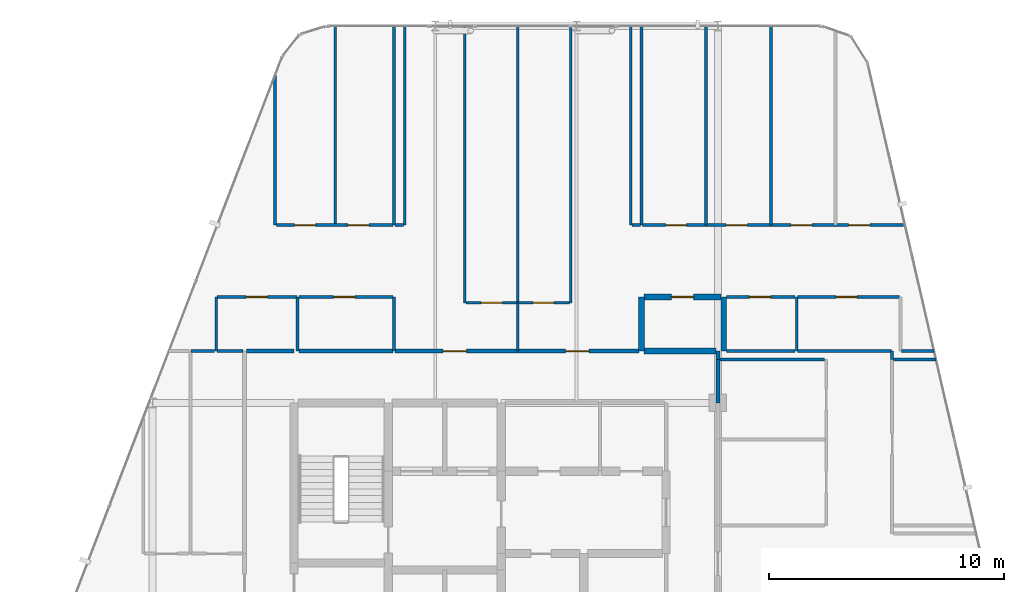
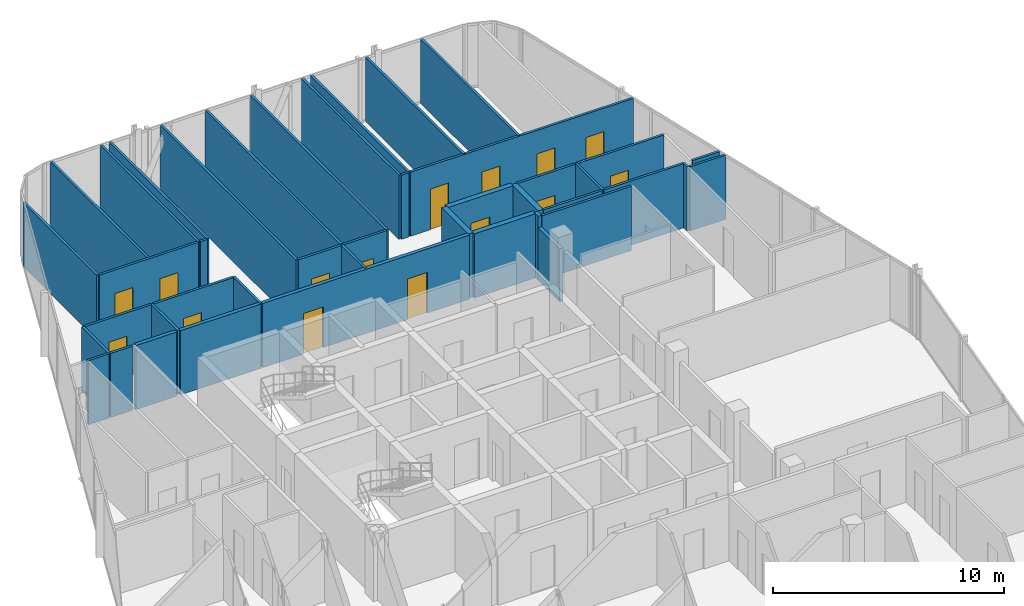
# One storey, part 26 of 28: 42 walls, 15 doors, 15 openings.
"""IFC4 building model written with IfcOpenShell, lengths in metres."""

from ifc_helpers import new_model, si_unit, direction, frame, frame_2d, origin, place, context, subcontext, project, spatial, rectangle, extrude, material, layer, layer_set, type_object, element, fill, save


model = new_model("IFC4")

# Units and contexts
model_context = context("Model", 3, precision=1e-05, world=origin(), true_north=direction((0.0, 1.0)))
body_context = subcontext(model_context, "Body", "Model", "MODEL_VIEW")
ifc_project = project(units=[si_unit("LENGTHUNIT", "METRE"), si_unit("AREAUNIT", "SQUARE_METRE"), si_unit("VOLUMEUNIT", "CUBIC_METRE"), si_unit("PLANEANGLEUNIT", "RADIAN"), si_unit("MASSUNIT", "GRAM", prefix="KILO")], contexts=[model_context])

# Site, building, storey
site_placement = place(None, origin())
site = spatial("IfcSite", under=ifc_project, at=site_placement, CompositionType="ELEMENT")
building_placement = place(site_placement, origin())
building = spatial("IfcBuilding", under=site, at=building_placement, Name="Keshet Zoharim Tower", CompositionType="ELEMENT")
storey_placement = place(building_placement, frame((0.0, 0.0, 258.39990234375)))
storey = spatial("IfcBuildingStorey", under=building, at=storey_placement, Name="L64", CompositionType="ELEMENT", Elevation=258.39990234375)

# Walls
ifc_material_1 = material(Name="Gypsum Plasterboard", Category="gypsum")
ifc_layer_1 = layer(ifc_material_1, 0.179931640625)
ifc_layer_set_1 = layer_set([ifc_layer_1], Name="Gypsum Plasterboard")
wall_type_1 = type_object("IfcWallType", Name="WL-CORR-180", PredefinedType="STANDARD", material=ifc_layer_set_1)
wall_1_placement = place(storey_placement, frame((33.0, 39.75, 0.0), z_axis=(0.0, 0.0, 1.0), x_axis=(0.0, 1.0, 0.0)))
element("IfcWall", 1, at=wall_1_placement, inside=storey, type_object=wall_type_1, Name="L64 Interior Wall 078", PredefinedType="STANDARD", context=body_context, shape_type="SweptSolid", body=[
    extrude(rectangle(XDim=0.35009765625, YDim=0.179931640625, at=frame_2d((0.175048828125, 0.0))), origin(), (0.0, 0.0, 1.0), 3.39013671875),
])
wall_2_placement = place(storey_placement, frame((12.97509765625, 40.10009765625, 0.0), z_axis=(0.0, 0.0, 1.0), x_axis=(1.0, 0.0, 0.0)))
element("IfcWall", 2, at=wall_2_placement, inside=storey, type_object=wall_type_1, Name="L64 Interior Wall 165", PredefinedType="STANDARD", context=body_context, shape_type="SweptSolid", body=[
    extrude(rectangle(XDim=2.02490234375, YDim=0.179931640625, at=frame_2d((1.012451171875, 0.0))), origin(), (0.0, 0.0, 1.0), 3.39013671875),
])
wall_3_placement = place(storey_placement, frame((15.20703125, 40.10009765625, 0.0), z_axis=(0.0, 0.0, 1.0), x_axis=(1.0, 0.0, 0.0)))
element("IfcWall", 3, at=wall_3_placement, inside=storey, type_object=wall_type_1, Name="L64 Interior Wall 166", PredefinedType="STANDARD", context=body_context, shape_type="SweptSolid", body=[
    extrude(rectangle(XDim=3.998046875, YDim=0.179931640625, at=frame_2d((1.9990234375, 0.0))), origin(), (0.0, 0.0, 1.0), 3.39013671875),
])

# Wall, openings, doors
wall_4_placement = place(storey_placement, frame((19.294921875, 40.10009765625, 0.0), z_axis=(0.0, 0.0, 1.0), x_axis=(1.0, 0.0, 0.0)))
wall_4 = element("IfcWall", 4, at=wall_4_placement, inside=storey, type_object=wall_type_1, Name="L64 Interior Wall 167", PredefinedType="STANDARD", context=body_context, shape_type="SweptSolid", body=[
    extrude(rectangle(XDim=10.344970703125, YDim=0.179931640625, at=frame_2d((5.17236328125, 0.0))), origin(), (0.0, 0.0, 1.0), 3.39013671875),
])
opening_1_placement = place(wall_4_placement, frame((2.034912109375, 0.0, 0.0)))
opening_1 = element("IfcOpeningElement", 5, at=opening_1_placement, cuts=wall_4, Name="Opening D-F310", PredefinedType="OPENING", context=body_context, shape_type="SweptSolid", body=[
    extrude(rectangle(XDim=1.0, YDim=2.14990234375, at=frame_2d((0.5, 1.074951171875))), frame((0.0, 0.10009765625, 0.0), z_axis=(0.0, -1.0, 0.0), x_axis=(1.0, 0.0, 0.0)), (0.0, 0.0, 1.0), 0.199951171875),
])
opening_2_placement = place(wall_4_placement, frame((7.235107421875, 0.0, 0.0)))
opening_2 = element("IfcOpeningElement", 6, at=opening_2_placement, cuts=wall_4, Name="Opening D-F310", PredefinedType="OPENING", context=body_context, shape_type="SweptSolid", body=[
    extrude(rectangle(XDim=1.0, YDim=2.14990234375, at=frame_2d((0.5, 1.074951171875))), frame((0.0, 0.10009765625, 0.0), z_axis=(0.0, -1.0, 0.0), x_axis=(1.0, 0.0, 0.0)), (0.0, 0.0, 1.0), 0.199951171875),
])
ifc_material_2 = material(Name="Hardwood Timber", Category="wood")
door_type_1 = type_object("IfcDoorType", Name="DR-FD30-100", OperationType="NOTDEFINED", PredefinedType="DOOR", material=ifc_material_2)
door_1_placement = place(opening_1_placement, origin())
door_1 = element("IfcDoor", 7, at=door_1_placement, inside=storey, type_object=door_type_1, Name="Apartment 6405 Entrance Door", OperationType="SINGLE_SWING_RIGHT", OverallHeight=2.14990234375, OverallWidth=1.0, PredefinedType="DOOR", context=body_context, shape_type="SweptSolid", body=[
    extrude(rectangle(XDim=1.0, YDim=2.14990234375, at=frame_2d((0.5, 1.074951171875))), frame((0.0, 0.02490234375, 0.0), z_axis=(0.0, -1.0, 0.0), x_axis=(1.0, 0.0, 0.0)), (0.0, 0.0, 1.0), 0.050048828125),
])
fill(opening_1, door_1)
door_2_placement = place(opening_2_placement, origin())
door_2 = element("IfcDoor", 8, at=door_2_placement, inside=storey, type_object=door_type_1, Name="Apartment 6406 Entrance Door", OperationType="SINGLE_SWING_LEFT", OverallHeight=2.14990234375, OverallWidth=1.0, PredefinedType="DOOR", context=body_context, shape_type="SweptSolid", body=[
    extrude(rectangle(XDim=1.0, YDim=2.14990234375, at=frame_2d((0.5, 1.074951171875))), frame((0.0, 0.02490234375, 0.0), z_axis=(0.0, -1.0, 0.0), x_axis=(1.0, 0.0, 0.0)), (0.0, 0.0, 1.0), 0.050048828125),
])
fill(opening_2, door_2)

# Walls
wall_5_placement = place(storey_placement, frame((33.0, 37.89990234375, 0.0), z_axis=(0.0, 0.0, 1.0), x_axis=(0.0, 1.0, 0.0)))
element("IfcWall", 9, at=wall_5_placement, inside=storey, type_object=wall_type_1, Name="L64 Interior Wall 077 Part 2", PredefinedType="STANDARD", context=body_context, shape_type="SweptSolid", body=[
    extrude(rectangle(XDim=1.85009765625, YDim=0.179931640625, at=frame_2d((0.925048828125, 0.0))), origin(), (0.0, 0.0, 1.0), 2.7900390625),
])
ifc_material_3 = material(Name="Concrete C50/60", Category="concrete")
ifc_layer_2 = layer(ifc_material_3, 0.25)
ifc_layer_set_2 = layer_set([ifc_layer_2], Name="Concrete C50/60")
wall_type_2 = type_object("IfcWallType", Name="WL-MAMAD-250", PredefinedType="STANDARD", material=ifc_layer_set_2)
for number, where, z_axis, x_axis, name in (
    (10, (29.75, 40.10009765625, 0.0), (0.0, 0.0, 1.0), (0.0, 1.0, 0.0), "L64 Interior Wall 065"),
    (11, (33.25, 40.10009765625, 0.0), (0.0, 0.0, 1.0), (0.0, 1.0, 0.0), "L64 Interior Wall 079"),
):
    element("IfcWall", number, at=place(storey_placement, frame(where, z_axis=z_axis, x_axis=x_axis)), inside=storey, type_object=wall_type_2, Name=name, PredefinedType="STANDARD", context=body_context, shape_type="SweptSolid", body=[
        extrude(rectangle(XDim=2.2998046875, YDim=0.25, at=frame_2d((1.14990234375, 0.0))), origin(), (0.0, 0.0, 1.0), 3.39013671875),
    ])
wall_6_placement = place(storey_placement, frame((29.860107421875, 40.10009765625, 0.0), z_axis=(0.0, 0.0, 1.0), x_axis=(1.0, 0.0, 0.0)))
element("IfcWall", 12, at=wall_6_placement, inside=storey, type_object=wall_type_2, Name="L64 Interior Wall 168", PredefinedType="STANDARD", context=body_context, shape_type="SweptSolid", body=[
    extrude(rectangle(XDim=3.06494140625, YDim=0.25, at=frame_2d((1.532470703125, 0.0))), origin(), (0.0, 0.0, 1.0), 3.39013671875),
])

# Wall, opening, door
wall_7_placement = place(storey_placement, frame((29.860107421875, 42.39990234375, 0.0), z_axis=(0.0, 0.0, 1.0), x_axis=(1.0, 0.0, 0.0)))
wall_7 = element("IfcWall", 13, at=wall_7_placement, inside=storey, type_object=wall_type_2, Name="L64 Interior Wall 175", PredefinedType="STANDARD", context=body_context, shape_type="SweptSolid", body=[
    extrude(rectangle(XDim=3.27783203125, YDim=0.25, at=frame_2d((1.638916015625, 0.0))), origin(), (0.0, 0.0, 1.0), 3.39013671875),
])
opening_3_placement = place(wall_7_placement, frame((1.1640625, 0.0, 0.0)))
opening_3 = element("IfcOpeningElement", 14, at=opening_3_placement, cuts=wall_7, Name="Opening D-F695", PredefinedType="OPENING", context=body_context, shape_type="SweptSolid", body=[
    extrude(rectangle(XDim=0.949951171875, YDim=2.14990234375, at=frame_2d((0.47509765625, 1.074951171875))), frame((0.0, 0.135009765625, 0.0), z_axis=(0.0, -1.0, 0.0), x_axis=(1.0, 0.0, 0.0)), (0.0, 0.0, 1.0), 0.27001953125),
])
door_type_2 = type_object("IfcDoorType", Name="DR-FD60-095", OperationType="NOTDEFINED", PredefinedType="DOOR", material=ifc_material_2)
door_3_placement = place(opening_3_placement, origin())
door_3 = element("IfcDoor", 15, at=door_3_placement, inside=storey, type_object=door_type_2, Name="Apartment 6406 Study and Shelter Room Door", OperationType="SINGLE_SWING_RIGHT", OverallHeight=2.14990234375, OverallWidth=0.949951171875, PredefinedType="DOOR", context=body_context, shape_type="SweptSolid", body=[
    extrude(rectangle(XDim=0.949951171875, YDim=2.14990234375, at=frame_2d((0.47509765625, 1.074951171875))), frame((0.0, 0.02490234375, 0.0), z_axis=(0.0, -1.0, 0.0), x_axis=(1.0, 0.0, 0.0)), (0.0, 0.0, 1.0), 0.050048828125),
])
fill(opening_3, door_3)

# Walls
ifc_layer_3 = layer(ifc_material_1, 0.1201171875)
ifc_layer_set_3 = layer_set([ifc_layer_3], Name="Gypsum Plasterboard")
wall_type_3 = type_object("IfcWallType", Name="WL-PART-120", PredefinedType="PARTITIONING", material=ifc_layer_set_3)
wall_8_placement = place(storey_placement, frame((11.699951171875, 40.10009765625, 0.0), z_axis=(0.0, 0.0, 1.0), x_axis=(0.0, 1.0, 0.0)))
element("IfcWall", 16, at=wall_8_placement, inside=storey, type_object=wall_type_3, Name="L64 Interior Wall 009", PredefinedType="PARTITIONING", context=body_context, shape_type="SweptSolid", body=[
    extrude(rectangle(XDim=2.2998046875, YDim=0.1201171875, at=frame_2d((1.14990234375, 0.0))), origin(), (0.0, 0.0, 1.0), 3.39013671875),
])
wall_9_placement = place(storey_placement, frame((14.199951171875, 45.449951171875, 0.0), z_axis=(0.0, 0.0, 1.0), x_axis=(0.0, 1.0, 0.0)))
element("IfcWall", 17, at=wall_9_placement, inside=storey, type_object=wall_type_3, Name="L64 Interior Wall 019", PredefinedType="PARTITIONING", context=body_context, shape_type="SweptSolid", body=[
    extrude(rectangle(XDim=6.360107421875, YDim=0.1201171875, at=frame_2d((3.18017578125, 0.0))), origin(), (0.0, 0.0, 1.0), 3.39013671875),
])
for number, where, z_axis, x_axis, name in (
    (18, (16.75, 45.449951171875, 0.0), (0.0, 0.0, 1.0), (0.0, 1.0, 0.0), "L64 Interior Wall 025"),
    (19, (19.25, 45.449951171875, 0.0), (0.0, 0.0, 1.0), (0.0, 1.0, 0.0), "L64 Interior Wall 033"),
    (20, (19.699951171875, 45.449951171875, 0.0), (0.0, 0.0, 1.0), (0.0, 1.0, 0.0), "L64 Interior Wall 034"),
):
    element("IfcWall", number, at=place(storey_placement, frame(where, z_axis=z_axis, x_axis=x_axis)), inside=storey, type_object=wall_type_3, Name=name, PredefinedType="PARTITIONING", context=body_context, shape_type="SweptSolid", body=[
        extrude(rectangle(XDim=8.43994140625, YDim=0.1201171875, at=frame_2d((4.219970703125, 0.0))), origin(), (0.0, 0.0, 1.0), 3.39013671875),
    ])
wall_10_placement = place(storey_placement, frame((22.25, 42.14990234375, 0.0), z_axis=(0.0, 0.0, 1.0), x_axis=(0.0, 1.0, 0.0)))
element("IfcWall", 21, at=wall_10_placement, inside=storey, type_object=wall_type_3, Name="L64 Interior Wall 040", PredefinedType="PARTITIONING", context=body_context, shape_type="SweptSolid", body=[
    extrude(rectangle(XDim=11.739990234375, YDim=0.1201171875, at=frame_2d((5.8701171875, 0.0))), origin(), (0.0, 0.0, 1.0), 3.39013671875),
])
wall_11_placement = place(storey_placement, frame((24.5, 40.10009765625, 0.0), z_axis=(0.0, 0.0, 1.0), x_axis=(0.0, 1.0, 0.0)))
element("IfcWall", 22, at=wall_11_placement, inside=storey, type_object=wall_type_3, Name="L64 Interior Wall 048", PredefinedType="PARTITIONING", context=body_context, shape_type="SweptSolid", body=[
    extrude(rectangle(XDim=2.0498046875, YDim=0.1201171875, at=frame_2d((1.02490234375, 0.0))), origin(), (0.0, 0.0, 1.0), 3.39013671875),
])
for number, where, z_axis, x_axis, name in (
    (23, (24.5, 42.14990234375, 0.0), (0.0, 0.0, 1.0), (0.0, 1.0, 0.0), "L64 Interior Wall 049"),
    (24, (26.75, 42.14990234375, 0.0), (0.0, 0.0, 1.0), (0.0, 1.0, 0.0), "L64 Interior Wall 054"),
):
    element("IfcWall", number, at=place(storey_placement, frame(where, z_axis=z_axis, x_axis=x_axis)), inside=storey, type_object=wall_type_3, Name=name, PredefinedType="PARTITIONING", context=body_context, shape_type="SweptSolid", body=[
        extrude(rectangle(XDim=11.739990234375, YDim=0.1201171875, at=frame_2d((5.8701171875, 0.0))), origin(), (0.0, 0.0, 1.0), 3.39013671875),
    ])
for number, where, z_axis, x_axis, name in (
    (25, (29.300048828125, 45.449951171875, 0.0), (0.0, 0.0, 1.0), (0.0, 1.0, 0.0), "L64 Interior Wall 061"),
    (26, (29.75, 45.449951171875, 0.0), (0.0, 0.0, 1.0), (0.0, 1.0, 0.0), "L64 Interior Wall 066"),
    (27, (32.5, 45.449951171875, 0.0), (0.0, 0.0, 1.0), (0.0, 1.0, 0.0), "L64 Interior Wall 073"),
    (28, (35.25, 45.449951171875, 0.0), (0.0, 0.0, 1.0), (0.0, 1.0, 0.0), "L64 Interior Wall 083"),
):
    element("IfcWall", number, at=place(storey_placement, frame(where, z_axis=z_axis, x_axis=x_axis)), inside=storey, type_object=wall_type_3, Name=name, PredefinedType="PARTITIONING", context=body_context, shape_type="SweptSolid", body=[
        extrude(rectangle(XDim=8.43994140625, YDim=0.1201171875, at=frame_2d((4.219970703125, 0.0))), origin(), (0.0, 0.0, 1.0), 3.39013671875),
    ])
wall_12_placement = place(storey_placement, frame((40.39990234375, 39.75, 0.0), z_axis=(0.0, 0.0, 1.0), x_axis=(0.0, 1.0, 0.0)))
element("IfcWall", 29, at=wall_12_placement, inside=storey, type_object=wall_type_3, Name="L64 Interior Wall 093", PredefinedType="PARTITIONING", context=body_context, shape_type="SweptSolid", body=[
    extrude(rectangle(XDim=0.35009765625, YDim=0.1201171875, at=frame_2d((0.175048828125, 0.0))), origin(), (0.0, 0.0, 1.0), 3.39013671875),
])
wall_13_placement = place(storey_placement, frame((40.465087890625, 39.75, 0.0), z_axis=(0.0, 0.0, 1.0), x_axis=(1.0, 0.0, 0.0)))
element("IfcWall", 30, at=wall_13_placement, inside=storey, type_object=wall_type_3, Name="L64 Interior Wall 161", PredefinedType="PARTITIONING", context=body_context, shape_type="SweptSolid", body=[
    extrude(rectangle(XDim=1.789794921875, YDim=0.1201171875, at=frame_2d((0.89501953125, 0.0))), origin(), (0.0, 0.0, 1.0), 3.39013671875),
])
wall_14_placement = place(storey_placement, frame((36.373046875, 40.10009765625, 0.0), z_axis=(0.0, 0.0, 1.0), x_axis=(1.0, 0.0, 0.0)))
element("IfcWall", 31, at=wall_14_placement, inside=storey, type_object=wall_type_3, Name="L64 Interior Wall 170", PredefinedType="PARTITIONING", context=body_context, shape_type="SweptSolid", body=[
    extrude(rectangle(XDim=4.001953125, YDim=0.1201171875, at=frame_2d((2.0009765625, 0.0))), origin(), (0.0, 0.0, 1.0), 3.39013671875),
])
wall_15_placement = place(storey_placement, frame((40.7958984375, 40.10009765625, 0.0), z_axis=(0.0, 0.0, 1.0), x_axis=(1.0, 0.0, 0.0)))
element("IfcWall", 32, at=wall_15_placement, inside=storey, type_object=wall_type_3, Name="L64 Interior Wall 171", PredefinedType="PARTITIONING", context=body_context, shape_type="SweptSolid", body=[
    extrude(rectangle(XDim=1.379150390625, YDim=0.1201171875, at=frame_2d((0.689453125, 0.0))), origin(), (0.0, 0.0, 1.0), 3.39013671875),
])

# Wall, openings, doors
wall_16_placement = place(storey_placement, frame((22.294921875, 42.14990234375, 0.0), z_axis=(0.0, 0.0, 1.0), x_axis=(1.0, 0.0, 0.0)))
wall_16 = element("IfcWall", 33, at=wall_16_placement, inside=storey, type_object=wall_type_3, Name="L64 Interior Wall 172", PredefinedType="PARTITIONING", context=body_context, shape_type="SweptSolid", body=[
    extrude(rectangle(XDim=4.41015625, YDim=0.1201171875, at=frame_2d((2.205078125, 0.0))), origin(), (0.0, 0.0, 1.0), 3.39013671875),
])
opening_4_placement = place(wall_16_placement, frame((0.655029296875, 0.0, 0.0)))
opening_4 = element("IfcOpeningElement", 34, at=opening_4_placement, cuts=wall_16, Name="Opening D-IN90", PredefinedType="OPENING", context=body_context, shape_type="SweptSolid", body=[
    extrude(rectangle(XDim=0.89990234375, YDim=2.14990234375, at=frame_2d((0.449951171875, 1.074951171875))), frame((0.0, 0.070068359375, 0.0), z_axis=(0.0, -1.0, 0.0), x_axis=(1.0, 0.0, 0.0)), (0.0, 0.0, 1.0), 0.14013671875),
])
opening_5_placement = place(wall_16_placement, frame((2.85498046875, 0.0, 0.0)))
opening_5 = element("IfcOpeningElement", 35, at=opening_5_placement, cuts=wall_16, Name="Opening D-IN90", PredefinedType="OPENING", context=body_context, shape_type="SweptSolid", body=[
    extrude(rectangle(XDim=0.89990234375, YDim=2.14990234375, at=frame_2d((0.449951171875, 1.074951171875))), frame((0.0, 0.070068359375, 0.0), z_axis=(0.0, -1.0, 0.0), x_axis=(1.0, 0.0, 0.0)), (0.0, 0.0, 1.0), 0.14013671875),
])
door_type_3 = type_object("IfcDoorType", Name="DR-INT-090", OperationType="NOTDEFINED", PredefinedType="DOOR", material=ifc_material_2)
door_4_placement = place(opening_4_placement, origin())
door_4 = element("IfcDoor", 36, at=door_4_placement, inside=storey, type_object=door_type_3, Name="Apartment 6405 Formal Dining Room Door", OperationType="SINGLE_SWING_RIGHT", OverallHeight=2.14990234375, OverallWidth=0.89990234375, PredefinedType="DOOR", context=body_context, shape_type="SweptSolid", body=[
    extrude(rectangle(XDim=0.89990234375, YDim=2.14990234375, at=frame_2d((0.449951171875, 1.074951171875))), frame((0.0, 0.02490234375, 0.0), z_axis=(0.0, -1.0, 0.0), x_axis=(1.0, 0.0, 0.0)), (0.0, 0.0, 1.0), 0.050048828125),
])
fill(opening_4, door_4)
door_5_placement = place(opening_5_placement, origin())
door_5 = element("IfcDoor", 37, at=door_5_placement, inside=storey, type_object=door_type_3, Name="Apartment 6406 Formal Dining Room Door", OperationType="SINGLE_SWING_LEFT", OverallHeight=2.14990234375, OverallWidth=0.89990234375, PredefinedType="DOOR", context=body_context, shape_type="SweptSolid", body=[
    extrude(rectangle(XDim=0.89990234375, YDim=2.14990234375, at=frame_2d((0.449951171875, 1.074951171875))), frame((0.0, 0.02490234375, 0.0), z_axis=(0.0, -1.0, 0.0), x_axis=(1.0, 0.0, 0.0)), (0.0, 0.0, 1.0), 0.050048828125),
])
fill(opening_5, door_5)

# Wall, opening, door
wall_17_placement = place(storey_placement, frame((11.72412109375, 42.39990234375, 0.0), z_axis=(0.0, 0.0, 1.0), x_axis=(1.0, 0.0, 0.0)))
wall_17 = element("IfcWall", 38, at=wall_17_placement, inside=storey, type_object=wall_type_3, Name="L64 Interior Wall 173", PredefinedType="PARTITIONING", context=body_context, shape_type="SweptSolid", body=[
    extrude(rectangle(XDim=3.392822265625, YDim=0.1201171875, at=frame_2d((1.6962890625, 0.0))), origin(), (0.0, 0.0, 1.0), 3.39013671875),
])
opening_6_placement = place(wall_17_placement, frame((1.2470703125, 0.0, 0.0)))
opening_6 = element("IfcOpeningElement", 39, at=opening_6_placement, cuts=wall_17, Name="Opening D-IN90", PredefinedType="OPENING", context=body_context, shape_type="SweptSolid", body=[
    extrude(rectangle(XDim=0.89990234375, YDim=2.14990234375, at=frame_2d((0.449951171875, 1.074951171875))), frame((0.0, 0.070068359375, 0.0), z_axis=(0.0, -1.0, 0.0), x_axis=(1.0, 0.0, 0.0)), (0.0, 0.0, 1.0), 0.14013671875),
])
door_6_placement = place(opening_6_placement, origin())
door_6 = element("IfcDoor", 40, at=door_6_placement, inside=storey, type_object=door_type_3, Name="Apartment 6405 Kitchen Door", OperationType="SINGLE_SWING_RIGHT", OverallHeight=2.14990234375, OverallWidth=0.89990234375, PredefinedType="DOOR", context=body_context, shape_type="SweptSolid", body=[
    extrude(rectangle(XDim=0.89990234375, YDim=2.14990234375, at=frame_2d((0.449951171875, 1.074951171875))), frame((0.0, 0.02490234375, 0.0), z_axis=(0.0, -1.0, 0.0), x_axis=(1.0, 0.0, 0.0)), (0.0, 0.0, 1.0), 0.050048828125),
])
fill(opening_6, door_6)

wall_18_placement = place(storey_placement, frame((36.373046875, 42.39990234375, 0.0), z_axis=(0.0, 0.0, 1.0), x_axis=(1.0, 0.0, 0.0)))
wall_18 = element("IfcWall", 41, at=wall_18_placement, inside=storey, type_object=wall_type_3, Name="L64 Interior Wall 177", PredefinedType="PARTITIONING", context=body_context, shape_type="SweptSolid", body=[
    extrude(rectangle(XDim=4.3330078125, YDim=0.1201171875, at=frame_2d((2.16650390625, 0.0))), origin(), (0.0, 0.0, 1.0), 3.39013671875),
])
opening_7_placement = place(wall_18_placement, frame((1.64501953125, 0.0, 0.0)))
opening_7 = element("IfcOpeningElement", 42, at=opening_7_placement, cuts=wall_18, Name="Opening D-IN90", PredefinedType="OPENING", context=body_context, shape_type="SweptSolid", body=[
    extrude(rectangle(XDim=0.89990234375, YDim=2.14990234375, at=frame_2d((0.449951171875, 1.074951171875))), frame((0.0, 0.070068359375, 0.0), z_axis=(0.0, -1.0, 0.0), x_axis=(1.0, 0.0, 0.0)), (0.0, 0.0, 1.0), 0.14013671875),
])
door_7_placement = place(opening_7_placement, origin())
door_7 = element("IfcDoor", 43, at=door_7_placement, inside=storey, type_object=door_type_3, Name="Apartment 6406 Kitchen Door", OperationType="SINGLE_SWING_RIGHT", OverallHeight=2.14990234375, OverallWidth=0.89990234375, PredefinedType="DOOR", context=body_context, shape_type="SweptSolid", body=[
    extrude(rectangle(XDim=0.89990234375, YDim=2.14990234375, at=frame_2d((0.449951171875, 1.074951171875))), frame((0.0, 0.02490234375, 0.0), z_axis=(0.0, -1.0, 0.0), x_axis=(1.0, 0.0, 0.0)), (0.0, 0.0, 1.0), 0.050048828125),
])
fill(opening_7, door_7)

# Wall, openings, doors
wall_19_placement = place(storey_placement, frame((14.248046875, 45.449951171875, 0.0), z_axis=(0.0, 0.0, 1.0), x_axis=(1.0, 0.0, 0.0)))
wall_19 = element("IfcWall", 44, at=wall_19_placement, inside=storey, type_object=wall_type_3, Name="L64 Interior Wall 178", PredefinedType="PARTITIONING", context=body_context, shape_type="SweptSolid", body=[
    extrude(rectangle(XDim=4.95703125, YDim=0.1201171875, at=frame_2d((2.478515625, 0.0))), origin(), (0.0, 0.0, 1.0), 3.39013671875),
])
opening_8_placement = place(wall_19_placement, frame((0.77099609375, 0.0, 0.0)))
opening_8 = element("IfcOpeningElement", 45, at=opening_8_placement, cuts=wall_19, Name="Opening D-IN90", PredefinedType="OPENING", context=body_context, shape_type="SweptSolid", body=[
    extrude(rectangle(XDim=0.89990234375, YDim=2.14990234375, at=frame_2d((0.449951171875, 1.074951171875))), frame((0.0, 0.070068359375, 0.0), z_axis=(0.0, -1.0, 0.0), x_axis=(1.0, 0.0, 0.0)), (0.0, 0.0, 1.0), 0.14013671875),
])
opening_9_placement = place(wall_19_placement, frame((3.0400390625, 0.0, 0.0)))
opening_9 = element("IfcOpeningElement", 46, at=opening_9_placement, cuts=wall_19, Name="Opening D-IN90", PredefinedType="OPENING", context=body_context, shape_type="SweptSolid", body=[
    extrude(rectangle(XDim=0.89990234375, YDim=2.14990234375, at=frame_2d((0.449951171875, 1.074951171875))), frame((0.0, 0.070068359375, 0.0), z_axis=(0.0, -1.0, 0.0), x_axis=(1.0, 0.0, 0.0)), (0.0, 0.0, 1.0), 0.14013671875),
])
door_8_placement = place(opening_8_placement, origin())
door_8 = element("IfcDoor", 47, at=door_8_placement, inside=storey, type_object=door_type_3, Name="Apartment 6405 Bedroom 2 Door", OperationType="SINGLE_SWING_LEFT", OverallHeight=2.14990234375, OverallWidth=0.89990234375, PredefinedType="DOOR", context=body_context, shape_type="SweptSolid", body=[
    extrude(rectangle(XDim=0.89990234375, YDim=2.14990234375, at=frame_2d((0.449951171875, 1.074951171875))), frame((0.0, 0.02490234375, 0.0), z_axis=(0.0, -1.0, 0.0), x_axis=(1.0, 0.0, 0.0)), (0.0, 0.0, 1.0), 0.050048828125),
])
fill(opening_8, door_8)
door_9_placement = place(opening_9_placement, origin())
door_9 = element("IfcDoor", 48, at=door_9_placement, inside=storey, type_object=door_type_3, Name="Apartment 6405 Bedroom 3 Door", OperationType="SINGLE_SWING_RIGHT", OverallHeight=2.14990234375, OverallWidth=0.89990234375, PredefinedType="DOOR", context=body_context, shape_type="SweptSolid", body=[
    extrude(rectangle(XDim=0.89990234375, YDim=2.14990234375, at=frame_2d((0.449951171875, 1.074951171875))), frame((0.0, 0.02490234375, 0.0), z_axis=(0.0, -1.0, 0.0), x_axis=(1.0, 0.0, 0.0)), (0.0, 0.0, 1.0), 0.050048828125),
])
fill(opening_9, door_9)

# Walls
for number, where, z_axis, x_axis, name in (
    (49, (19.294921875, 45.449951171875, 0.0), (0.0, 0.0, 1.0), (1.0, 0.0, 0.0), "L64 Interior Wall 179"),
    (50, (29.344970703125, 45.449951171875, 0.0), (0.0, 0.0, 1.0), (1.0, 0.0, 0.0), "L64 Interior Wall 180"),
):
    element("IfcWall", number, at=place(storey_placement, frame(where, z_axis=z_axis, x_axis=x_axis)), inside=storey, type_object=wall_type_3, Name=name, PredefinedType="PARTITIONING", context=body_context, shape_type="SweptSolid", body=[
        extrude(rectangle(XDim=0.360107421875, YDim=0.1201171875, at=frame_2d((0.18017578125, 0.0))), origin(), (0.0, 0.0, 1.0), 3.39013671875),
    ])

# Wall, openings, doors
wall_20_placement = place(storey_placement, frame((29.794921875, 45.449951171875, 0.0), z_axis=(0.0, 0.0, 1.0), x_axis=(1.0, 0.0, 0.0)))
wall_20 = element("IfcWall", 51, at=wall_20_placement, inside=storey, type_object=wall_type_3, Name="L64 Interior Wall 181", PredefinedType="PARTITIONING", context=body_context, shape_type="SweptSolid", body=[
    extrude(rectangle(XDim=11.14501953125, YDim=0.1201171875, at=frame_2d((5.572509765625, 0.0))), origin(), (0.0, 0.0, 1.0), 3.39013671875),
])
opening_10_placement = place(wall_20_placement, frame((0.98291015625, 0.0, 0.0)))
opening_10 = element("IfcOpeningElement", 52, at=opening_10_placement, cuts=wall_20, Name="Opening D-IN90", PredefinedType="OPENING", context=body_context, shape_type="SweptSolid", body=[
    extrude(rectangle(XDim=0.89990234375, YDim=2.14990234375, at=frame_2d((0.449951171875, 1.074951171875))), frame((0.0, 0.070068359375, 0.0), z_axis=(0.0, -1.0, 0.0), x_axis=(1.0, 0.0, 0.0)), (0.0, 0.0, 1.0), 0.14013671875),
])
opening_11_placement = place(wall_20_placement, frame((3.555908203125, 0.0, 0.0)))
opening_11 = element("IfcOpeningElement", 53, at=opening_11_placement, cuts=wall_20, Name="Opening D-IN90", PredefinedType="OPENING", context=body_context, shape_type="SweptSolid", body=[
    extrude(rectangle(XDim=0.89990234375, YDim=2.14990234375, at=frame_2d((0.449951171875, 1.074951171875))), frame((0.0, 0.070068359375, 0.0), z_axis=(0.0, -1.0, 0.0), x_axis=(1.0, 0.0, 0.0)), (0.0, 0.0, 1.0), 0.14013671875),
])
opening_12_placement = place(wall_20_placement, frame((6.306884765625, 0.0, 0.0)))
opening_12 = element("IfcOpeningElement", 54, at=opening_12_placement, cuts=wall_20, Name="Opening D-IN90", PredefinedType="OPENING", context=body_context, shape_type="SweptSolid", body=[
    extrude(rectangle(XDim=0.89990234375, YDim=2.14990234375, at=frame_2d((0.449951171875, 1.074951171875))), frame((0.0, 0.070068359375, 0.0), z_axis=(0.0, -1.0, 0.0), x_axis=(1.0, 0.0, 0.0)), (0.0, 0.0, 1.0), 0.14013671875),
])
opening_13_placement = place(wall_20_placement, frame((8.7548828125, 0.0, 0.0)))
opening_13 = element("IfcOpeningElement", 55, at=opening_13_placement, cuts=wall_20, Name="Opening D-IN90", PredefinedType="OPENING", context=body_context, shape_type="SweptSolid", body=[
    extrude(rectangle(XDim=0.89990234375, YDim=2.14990234375, at=frame_2d((0.449951171875, 1.074951171875))), frame((0.0, 0.070068359375, 0.0), z_axis=(0.0, -1.0, 0.0), x_axis=(1.0, 0.0, 0.0)), (0.0, 0.0, 1.0), 0.14013671875),
])
door_10_placement = place(opening_10_placement, origin())
door_10 = element("IfcDoor", 56, at=door_10_placement, inside=storey, type_object=door_type_3, Name="Apartment 6406 Bedroom 1 Door", OperationType="SINGLE_SWING_LEFT", OverallHeight=2.14990234375, OverallWidth=0.89990234375, PredefinedType="DOOR", context=body_context, shape_type="SweptSolid", body=[
    extrude(rectangle(XDim=0.89990234375, YDim=2.14990234375, at=frame_2d((0.449951171875, 1.074951171875))), frame((0.0, 0.02490234375, 0.0), z_axis=(0.0, -1.0, 0.0), x_axis=(1.0, 0.0, 0.0)), (0.0, 0.0, 1.0), 0.050048828125),
])
fill(opening_10, door_10)
door_11_placement = place(opening_11_placement, origin())
door_11 = element("IfcDoor", 57, at=door_11_placement, inside=storey, type_object=door_type_3, Name="Apartment 6406 Bedroom 2 Door", OperationType="SINGLE_SWING_RIGHT", OverallHeight=2.14990234375, OverallWidth=0.89990234375, PredefinedType="DOOR", context=body_context, shape_type="SweptSolid", body=[
    extrude(rectangle(XDim=0.89990234375, YDim=2.14990234375, at=frame_2d((0.449951171875, 1.074951171875))), frame((0.0, 0.02490234375, 0.0), z_axis=(0.0, -1.0, 0.0), x_axis=(1.0, 0.0, 0.0)), (0.0, 0.0, 1.0), 0.050048828125),
])
fill(opening_11, door_11)
door_12_placement = place(opening_12_placement, origin())
door_12 = element("IfcDoor", 58, at=door_12_placement, inside=storey, type_object=door_type_3, Name="Apartment 6406 Bedroom 3 Door", OperationType="SINGLE_SWING_LEFT", OverallHeight=2.14990234375, OverallWidth=0.89990234375, PredefinedType="DOOR", context=body_context, shape_type="SweptSolid", body=[
    extrude(rectangle(XDim=0.89990234375, YDim=2.14990234375, at=frame_2d((0.449951171875, 1.074951171875))), frame((0.0, 0.02490234375, 0.0), z_axis=(0.0, -1.0, 0.0), x_axis=(1.0, 0.0, 0.0)), (0.0, 0.0, 1.0), 0.050048828125),
])
fill(opening_12, door_12)
door_13_placement = place(opening_13_placement, origin())
door_13 = element("IfcDoor", 59, at=door_13_placement, inside=storey, type_object=door_type_3, Name="Apartment 6406 Bedroom 4 Door", OperationType="SINGLE_SWING_RIGHT", OverallHeight=2.14990234375, OverallWidth=0.89990234375, PredefinedType="DOOR", context=body_context, shape_type="SweptSolid", body=[
    extrude(rectangle(XDim=0.89990234375, YDim=2.14990234375, at=frame_2d((0.449951171875, 1.074951171875))), frame((0.0, 0.02490234375, 0.0), z_axis=(0.0, -1.0, 0.0), x_axis=(1.0, 0.0, 0.0)), (0.0, 0.0, 1.0), 0.050048828125),
])
fill(opening_13, door_13)

# Walls
ifc_layer_4 = layer(ifc_material_1, 0.1201171875)
ifc_layer_set_4 = layer_set([ifc_layer_4], Name="Gypsum Plasterboard")
wall_type_4 = type_object("IfcWallType", Name="WL-WET-120", PredefinedType="PARTITIONING", material=ifc_layer_set_4)
for number, where, z_axis, x_axis, name in (
    (60, (15.14990234375, 40.10009765625, 0.0), (0.0, 0.0, 1.0), (0.0, 1.0, 0.0), "L64 Interior Wall 024"),
    (61, (19.25, 40.10009765625, 0.0), (0.0, 0.0, 1.0), (0.0, 1.0, 0.0), "L64 Interior Wall 032"),
    (62, (36.35009765625, 40.10009765625, 0.0), (0.0, 0.0, 1.0), (0.0, 1.0, 0.0), "L64 Interior Wall 084"),
):
    element("IfcWall", number, at=place(storey_placement, frame(where, z_axis=z_axis, x_axis=x_axis)), inside=storey, type_object=wall_type_4, Name=name, PredefinedType="PARTITIONING", context=body_context, shape_type="SweptSolid", body=[
        extrude(rectangle(XDim=2.2998046875, YDim=0.1201171875, at=frame_2d((1.14990234375, 0.0))), origin(), (0.0, 0.0, 1.0), 3.39013671875),
    ])
wall_21_placement = place(storey_placement, frame((33.074951171875, 39.75, 0.0), z_axis=(0.0, 0.0, 1.0), x_axis=(1.0, 0.0, 0.0)))
element("IfcWall", 63, at=wall_21_placement, inside=storey, type_object=wall_type_4, Name="L64 Interior Wall 160", PredefinedType="PARTITIONING", context=body_context, shape_type="SweptSolid", body=[
    extrude(rectangle(XDim=4.4599609375, YDim=0.1201171875, at=frame_2d((2.22998046875, 0.0))), origin(), (0.0, 0.0, 1.0), 3.39013671875),
])
wall_22_placement = place(storey_placement, frame((10.623046875, 40.10009765625, 0.0), z_axis=(0.0, 0.0, 1.0), x_axis=(1.0, 0.0, 0.0)))
element("IfcWall", 64, at=wall_22_placement, inside=storey, type_object=wall_type_4, Name="L64 Interior Wall 163", PredefinedType="PARTITIONING", context=body_context, shape_type="SweptSolid", body=[
    extrude(rectangle(XDim=1.010986328125, YDim=0.1201171875, at=frame_2d((0.50537109375, 0.0))), origin(), (0.0, 0.0, 1.0), 3.39013671875),
])
wall_23_placement = place(storey_placement, frame((11.72412109375, 40.10009765625, 0.0), z_axis=(0.0, 0.0, 1.0), x_axis=(1.0, 0.0, 0.0)))
element("IfcWall", 65, at=wall_23_placement, inside=storey, type_object=wall_type_4, Name="L64 Interior Wall 164", PredefinedType="PARTITIONING", context=body_context, shape_type="SweptSolid", body=[
    extrude(rectangle(XDim=1.100830078125, YDim=0.1201171875, at=frame_2d((0.55029296875, 0.0))), origin(), (0.0, 0.0, 1.0), 3.39013671875),
])
wall_24_placement = place(storey_placement, frame((33.35791015625, 40.10009765625, 0.0), z_axis=(0.0, 0.0, 1.0), x_axis=(1.0, 0.0, 0.0)))
element("IfcWall", 66, at=wall_24_placement, inside=storey, type_object=wall_type_4, Name="L64 Interior Wall 169", PredefinedType="PARTITIONING", context=body_context, shape_type="SweptSolid", body=[
    extrude(rectangle(XDim=2.925048828125, YDim=0.1201171875, at=frame_2d((1.46240234375, 0.0))), origin(), (0.0, 0.0, 1.0), 3.39013671875),
])

# Wall, opening, door
wall_25_placement = place(storey_placement, frame((15.20703125, 42.39990234375, 0.0), z_axis=(0.0, 0.0, 1.0), x_axis=(1.0, 0.0, 0.0)))
wall_25 = element("IfcWall", 67, at=wall_25_placement, inside=storey, type_object=wall_type_4, Name="L64 Interior Wall 174", PredefinedType="PARTITIONING", context=body_context, shape_type="SweptSolid", body=[
    extrude(rectangle(XDim=3.998046875, YDim=0.1201171875, at=frame_2d((1.9990234375, 0.0))), origin(), (0.0, 0.0, 1.0), 3.39013671875),
])
opening_14_placement = place(wall_25_placement, frame((1.47802734375, 0.0, 0.0)))
opening_14 = element("IfcOpeningElement", 68, at=opening_14_placement, cuts=wall_25, Name="Opening D-WT90", PredefinedType="OPENING", context=body_context, shape_type="SweptSolid", body=[
    extrude(rectangle(XDim=0.89990234375, YDim=2.10009765625, at=frame_2d((0.449951171875, 1.050048828125))), frame((0.0, 0.070068359375, 0.0), z_axis=(0.0, -1.0, 0.0), x_axis=(1.0, 0.0, 0.0)), (0.0, 0.0, 1.0), 0.14013671875),
])
door_type_4 = type_object("IfcDoorType", Name="DR-WET-090", OperationType="NOTDEFINED", PredefinedType="DOOR", material=ifc_material_2)
door_14_placement = place(opening_14_placement, origin())
door_14 = element("IfcDoor", 69, at=door_14_placement, inside=storey, type_object=door_type_4, Name="Apartment 6405 Bathroom Door", OperationType="SINGLE_SWING_LEFT", OverallHeight=2.10009765625, OverallWidth=0.89990234375, PredefinedType="DOOR", context=body_context, shape_type="SweptSolid", body=[
    extrude(rectangle(XDim=0.89990234375, YDim=2.10009765625, at=frame_2d((0.449951171875, 1.050048828125))), frame((0.0, 0.02490234375, 0.0), z_axis=(0.0, -1.0, 0.0), x_axis=(1.0, 0.0, 0.0)), (0.0, 0.0, 1.0), 0.050048828125),
])
fill(opening_14, door_14)

wall_26_placement = place(storey_placement, frame((33.35791015625, 42.39990234375, 0.0), z_axis=(0.0, 0.0, 1.0), x_axis=(1.0, 0.0, 0.0)))
wall_26 = element("IfcWall", 70, at=wall_26_placement, inside=storey, type_object=wall_type_4, Name="L64 Interior Wall 176", PredefinedType="PARTITIONING", context=body_context, shape_type="SweptSolid", body=[
    extrude(rectangle(XDim=2.925048828125, YDim=0.1201171875, at=frame_2d((1.46240234375, 0.0))), origin(), (0.0, 0.0, 1.0), 3.39013671875),
])
opening_15_placement = place(wall_26_placement, frame((0.97998046875, 0.0, 0.0)))
opening_15 = element("IfcOpeningElement", 71, at=opening_15_placement, cuts=wall_26, Name="Opening D-WT90", PredefinedType="OPENING", context=body_context, shape_type="SweptSolid", body=[
    extrude(rectangle(XDim=0.89990234375, YDim=2.10009765625, at=frame_2d((0.449951171875, 1.050048828125))), frame((0.0, 0.070068359375, 0.0), z_axis=(0.0, -1.0, 0.0), x_axis=(1.0, 0.0, 0.0)), (0.0, 0.0, 1.0), 0.14013671875),
])
door_15_placement = place(opening_15_placement, origin())
door_15 = element("IfcDoor", 72, at=door_15_placement, inside=storey, type_object=door_type_4, Name="Apartment 6406 Bathroom Door", OperationType="SINGLE_SWING_LEFT", OverallHeight=2.10009765625, OverallWidth=0.89990234375, PredefinedType="DOOR", context=body_context, shape_type="SweptSolid", body=[
    extrude(rectangle(XDim=0.89990234375, YDim=2.10009765625, at=frame_2d((0.449951171875, 1.050048828125))), frame((0.0, 0.02490234375, 0.0), z_axis=(0.0, -1.0, 0.0), x_axis=(1.0, 0.0, 0.0)), (0.0, 0.0, 1.0), 0.050048828125),
])
fill(opening_15, door_15)

save(model, "model.ifc")
